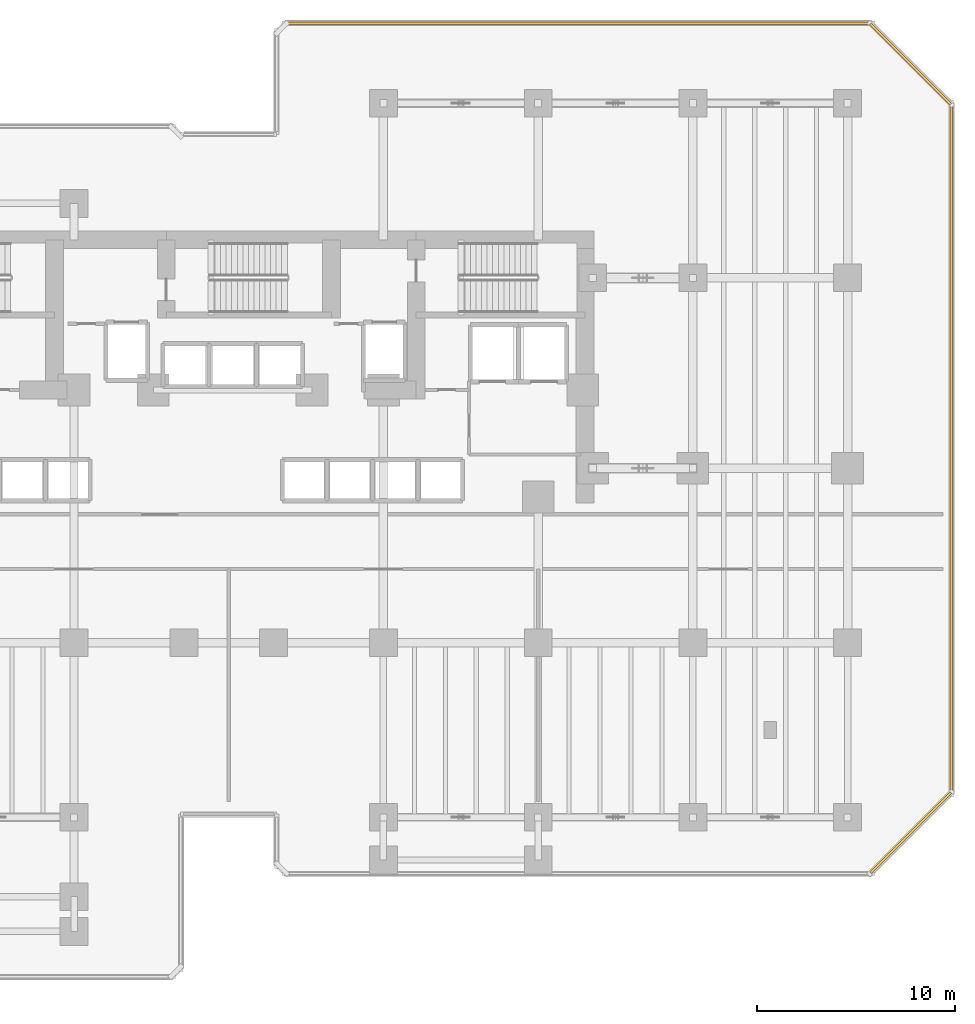
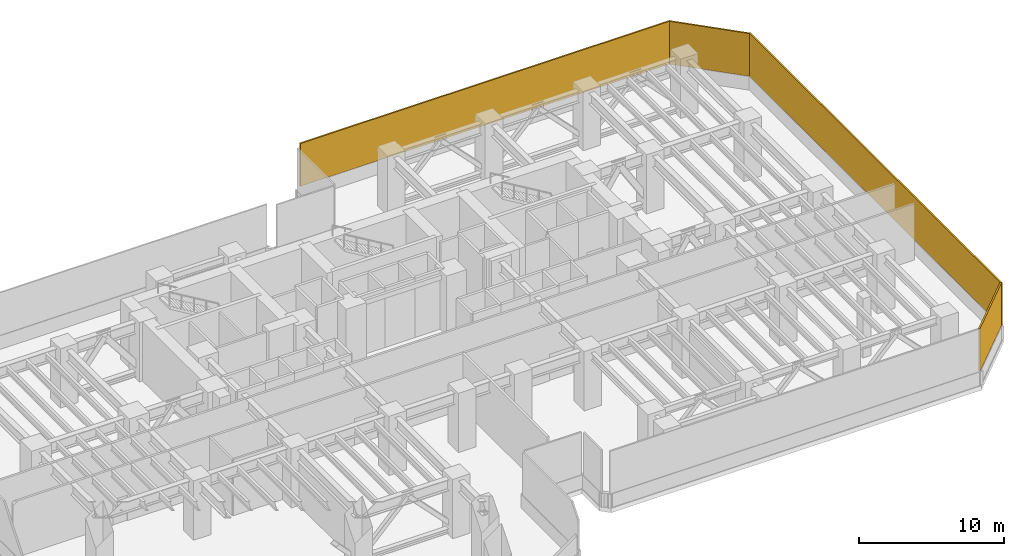
# One storey, part 13 of 13: 4 shading devices.
"""IFC4 building model written with IfcOpenShell, lengths in metres."""

from ifc_helpers import new_model, si_unit, direction, frame, origin, origin_2d, place, context, subcontext, project, spatial, rectangle, extrude, material, layer, layer_set, type_object, element, save


model = new_model("IFC4")

# Units and contexts
model_context = context("Model", 3, precision=1e-05, world=origin(), true_north=direction((0.0, 1.0)))
body_context = subcontext(model_context, "Body", "Model", "MODEL_VIEW")
ifc_project = project(units=[si_unit("LENGTHUNIT", "METRE"), si_unit("AREAUNIT", "SQUARE_METRE"), si_unit("VOLUMEUNIT", "CUBIC_METRE"), si_unit("PLANEANGLEUNIT", "RADIAN"), si_unit("MASSUNIT", "GRAM", prefix="KILO")], contexts=[model_context])

# Site, building, storey
site_placement = place(None, origin())
site = spatial("IfcSite", under=ifc_project, at=site_placement, CompositionType="ELEMENT")
building_placement = place(site_placement, origin())
building = spatial("IfcBuilding", under=site, at=building_placement, Name="Kestravale Grand Hotel", CompositionType="ELEMENT")
storey_placement = place(building_placement, frame((0.0, 0.0, 75.39990234375)))
storey = spatial("IfcBuildingStorey", under=building, at=storey_placement, Name="L18", CompositionType="ELEMENT", Elevation=75.39990234375)

# Shading devices
ifc_material = material(Name="Anodised bronze storm-proof acoustic ventilation louvre", Category="aluminium")
ifc_layer = layer(ifc_material, 0.1201171875)
ifc_layer_set = layer_set([ifc_layer], Name="SHD-LVR-REF")
shading_device_type = type_object("IfcShadingDeviceType", Name="SHD-LVR-REF", PredefinedType="JALOUSIE", material=ifc_layer_set)
shading_device_1_placement = place(storey_placement, frame((73.3798828125, 10.420166015625, 1.1298828125), z_axis=(0.0, 0.0, 1.0), x_axis=(0.707106781187, 0.707106781187, 0.0)))
element("IfcShadingDevice", 1, at=shading_device_1_placement, inside=storey, type_object=shading_device_type, Name="L18 mechanical refuge chevron louvre 8", PredefinedType="JALOUSIE", context=body_context, shape_type="SweptSolid", body=[
    extrude(rectangle(XDim=5.7197265625, YDim=0.1201171875, at=origin_2d()), origin(), (0.0, 0.0, 1.0), 3.610107421875),
])
shading_device_2_placement = place(storey_placement, frame((75.429931640625, 29.800048828125, 1.1298828125), z_axis=(0.0, 0.0, 1.0), x_axis=(0.0, 1.0, 0.0)))
element("IfcShadingDevice", 2, at=shading_device_2_placement, inside=storey, type_object=shading_device_type, Name="L18 mechanical refuge chevron louvre 9", PredefinedType="JALOUSIE", context=body_context, shape_type="SweptSolid", body=[
    extrude(rectangle(XDim=34.840087890625, YDim=0.1201171875, at=origin_2d()), origin(), (0.0, 0.0, 1.0), 3.610107421875),
])
shading_device_3_placement = place(storey_placement, frame((73.3798828125, 49.1796875, 1.1298828125), z_axis=(0.0, 0.0, 1.0), x_axis=(-0.707106781187, 0.707106781187, 0.0)))
element("IfcShadingDevice", 3, at=shading_device_3_placement, inside=storey, type_object=shading_device_type, Name="L18 mechanical refuge chevron louvre 10", PredefinedType="JALOUSIE", context=body_context, shape_type="SweptSolid", body=[
    extrude(rectangle(XDim=5.7197265625, YDim=0.1201171875, at=origin_2d()), origin(), (0.0, 0.0, 1.0), 3.610107421875),
])
shading_device_4_placement = place(storey_placement, frame((56.625, 51.22998046875, 1.1298828125), z_axis=(0.0, 0.0, 1.0), x_axis=(-1.0, 0.0, 0.0)))
element("IfcShadingDevice", 4, at=shading_device_4_placement, inside=storey, type_object=shading_device_type, Name="L18 mechanical refuge chevron louvre 11", PredefinedType="JALOUSIE", context=body_context, shape_type="SweptSolid", body=[
    extrude(rectangle(XDim=29.590087890625, YDim=0.1201171875, at=origin_2d()), origin(), (0.0, 0.0, 1.0), 3.610107421875),
])

save(model, "model.ifc")
